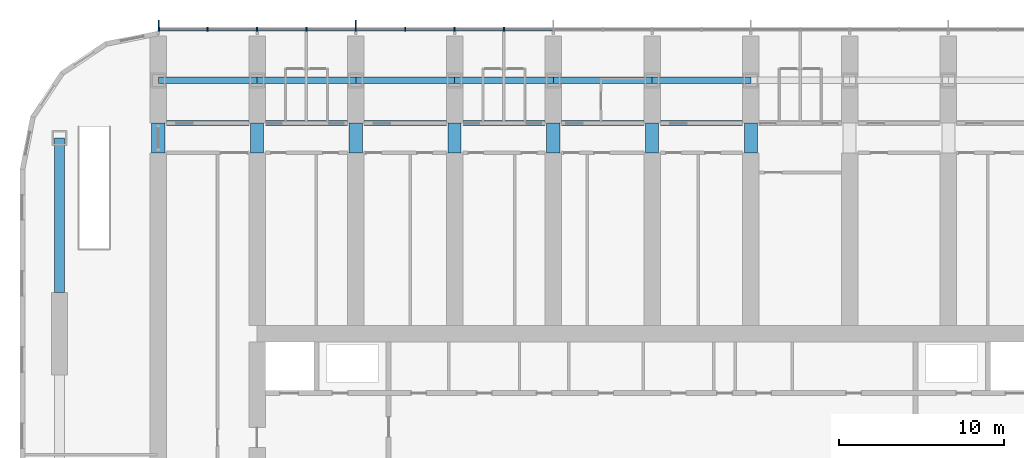
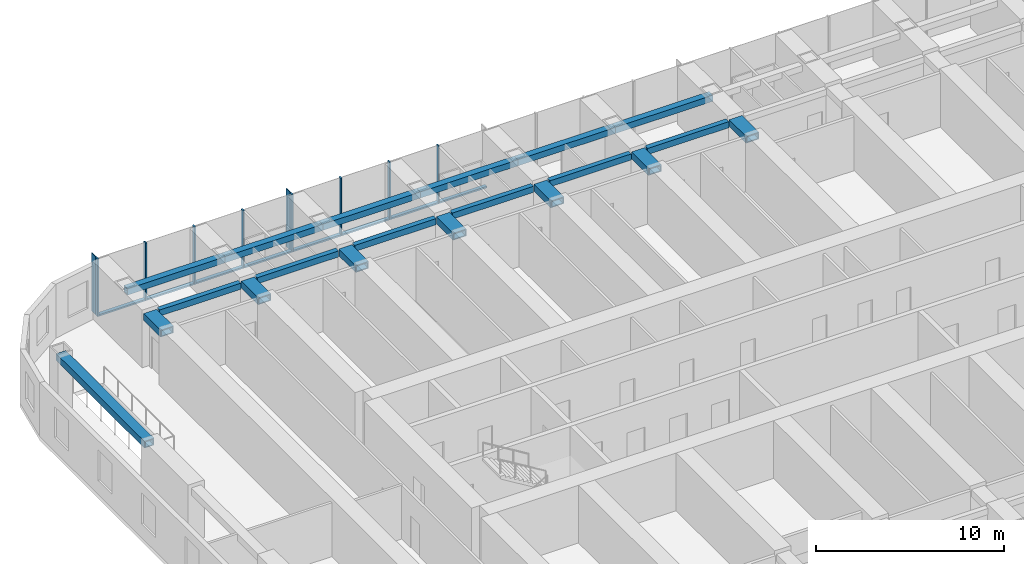
# One storey, part 4 of 22: 20 beams, 18 members, 1 element without a shape of its own.
"""IFC4 building model written with IfcOpenShell, lengths in metres."""

import ifcopenshell
import ifcopenshell.guid

model = None  # the IFC model being written
_history = None  # IfcOwnerHistory: only IFC2X3 demands one
_inside = {}  # id of a spatial element -> (the spatial element, [elements in it])
_under = {}  # id of a project, library or spatial element -> (it, [spatial elements below it])
_declared = {}  # id of a project -> (the project, [libraries it declares])
_typed = {}  # id of a type object -> (the type object, [elements of that type])
_made_of = {}  # id of a material, layer set ... -> (it, [elements and type objects made of it])


def new_model(schema):
    """Start an empty IFC model of exactly this schema.

    Asked for "IFC4X3", IfcOpenShell would pick the latest addendum, in which some entities
    have other attributes; the version numbers below select the first issue.
    IFC2X3 requires an IfcOwnerHistory on every rooted entity: one is made here for all.
    """
    global model, _history
    if schema == "IFC4X3":
        model = ifcopenshell.file(schema_version=(4, 3, 0, 0))
    else:
        model = ifcopenshell.file(schema=schema)
    _inside.clear()
    _under.clear()
    _declared.clear()
    _typed.clear()
    _made_of.clear()
    _history = None
    if model.schema == "IFC2X3":
        org = make("IfcOrganization", Name="unknown")
        user = make(
            "IfcPersonAndOrganization",
            ThePerson=make("IfcPerson", FamilyName="unknown"),
            TheOrganization=org,
        )
        app = make(
            "IfcApplication",
            ApplicationDeveloper=org,
            Version="unknown",
            ApplicationFullName="unknown",
            ApplicationIdentifier="unknown",
        )
        _history = make(
            "IfcOwnerHistory",
            OwningUser=user,
            OwningApplication=app,
            ChangeAction="ADDED",
            CreationDate=0,
        )
    return model


def make(cls, **values):
    """One entity of the class cls with the attributes given. An attribute that is None is left unset."""
    return model.create_entity(
        cls, **{name: value for name, value in values.items() if value is not None}
    )


def rooted(cls, **values):
    """An entity with a GlobalId (a new one), such as an element, a storey or a relation."""
    return make(cls, GlobalId=ifcopenshell.guid.new(), OwnerHistory=_history, **values)


def si_unit(unit_type, name, prefix=None):
    """IfcSIUnit, for example si_unit("LENGTHUNIT", "METRE", prefix="MILLI")."""
    return make("IfcSIUnit", UnitType=unit_type, Prefix=prefix, Name=name)


def assignment(units):
    """IfcUnitAssignment: the units of a project."""
    return None if units is None else make("IfcUnitAssignment", Units=units)


def point(xyz):
    """IfcCartesianPoint."""
    return None if xyz is None else make("IfcCartesianPoint", Coordinates=xyz)


def direction(xyz):
    """IfcDirection."""
    return None if xyz is None else make("IfcDirection", DirectionRatios=xyz)


def frame(location, z_axis=None, x_axis=None):
    """IfcAxis2Placement3D, a coordinate frame: its origin and axes. An axis left out is left unset."""
    return make(
        "IfcAxis2Placement3D",
        Location=point(location),
        Axis=direction(z_axis),
        RefDirection=direction(x_axis),
    )


def frame_2d(location, x_axis=None):
    """IfcAxis2Placement2D, a coordinate frame in the plane: its origin and x axis."""
    return make(
        "IfcAxis2Placement2D", Location=point(location), RefDirection=direction(x_axis)
    )


def origin():
    """The frame at (0, 0, 0) with its axes left unset."""
    return frame((0.0, 0.0, 0.0))


def origin_2d():
    """The frame at (0, 0) in the plane with its x axis left unset."""
    return frame_2d((0.0, 0.0))


def place(relative_to, where):
    """IfcLocalPlacement: puts the frame where relative to a parent placement (None: the world)."""
    return make(
        "IfcLocalPlacement", PlacementRelTo=relative_to, RelativePlacement=where
    )


def context(
    kind, dimensions, precision=None, world=None, true_north=None, identifier=None
):
    """IfcGeometricRepresentationContext, for example the 3D "Model" context."""
    return make(
        "IfcGeometricRepresentationContext",
        ContextIdentifier=identifier,
        ContextType=kind,
        CoordinateSpaceDimension=dimensions,
        Precision=precision,
        WorldCoordinateSystem=world,
        TrueNorth=true_north,
    )


def subcontext(parent, identifier, kind, view, scale=None):
    """IfcGeometricRepresentationSubContext, for example "Body" below "Model"."""
    return make(
        "IfcGeometricRepresentationSubContext",
        ContextIdentifier=identifier,
        ContextType=kind,
        ParentContext=parent,
        TargetScale=scale,
        TargetView=view,
    )


def project(units=None, contexts=None):
    """IfcProject with its units and contexts."""
    return rooted(
        "IfcProject",
        Name="project",
        RepresentationContexts=contexts,
        UnitsInContext=assignment(units),
    )


def spatial(cls, under=None, at=None, **own):
    """A site, building, storey or space (cls), placed at a placement, below another one or the project."""
    s = rooted(cls, ObjectPlacement=at, **own)
    if under is not None:
        _under.setdefault(under.id(), (under, []))[1].append(s)
    return s


def profile(cls, at=None, kind="AREA", **sizes):
    """A parametric profile (cls). Its sizes go by their IFC names, for example OverallWidth=200.0."""
    return make(cls, ProfileType=kind, Position=at, **sizes)


def rectangle(**sizes):
    """IfcRectangleProfileDef."""
    return profile("IfcRectangleProfileDef", **sizes)


def hollow_rectangle(**sizes):
    """IfcRectangleHollowProfileDef."""
    return profile("IfcRectangleHollowProfileDef", **sizes)


def extrude(swept, where, along, depth):
    """IfcExtrudedAreaSolid: the profile swept, set in the frame where, extruded along a direction by depth."""
    return make(
        "IfcExtrudedAreaSolid",
        SweptArea=swept,
        Position=where,
        ExtrudedDirection=direction(along),
        Depth=depth,
    )


def shape(context_of_items, identifier, shape_type, items):
    """IfcShapeRepresentation: the items that make up one representation, for example the "Body"."""
    return make(
        "IfcShapeRepresentation",
        ContextOfItems=context_of_items,
        RepresentationIdentifier=identifier,
        RepresentationType=shape_type,
        Items=items,
    )


def material(Name=None, Category=None):
    """IfcMaterial."""
    return make("IfcMaterial", Name=Name, Category=Category)


def material_profile(
    of_material, cross_section, Name=None, Category=None, Priority=None
):
    """IfcMaterialProfile: a cross section and its material."""
    return make(
        "IfcMaterialProfile",
        Name=Name,
        Material=of_material,
        Profile=cross_section,
        Priority=Priority,
        Category=Category,
    )


def profile_set(profiles, Name=None, composite=None):
    """IfcMaterialProfileSet."""
    return make(
        "IfcMaterialProfileSet",
        Name=Name,
        MaterialProfiles=profiles,
        CompositeProfile=composite,
    )


def made_of(thing, what):
    """Note that an element or type object is made of a material, layer set ...; save() writes the relation."""
    if what is not None:
        _made_of.setdefault(what.id(), (what, []))[1].append(thing)
    return thing


def type_object(cls, material=None, **own):
    """A type object (cls), such as IfcWallType, which elements share."""
    return made_of(rooted(cls, **own), material)


def element(
    cls,
    number,
    at=None,
    inside=None,
    cuts=None,
    type_object=None,
    material=None,
    context=None,
    identifier="Body",
    shape_type=None,
    held_by="IfcProductDefinitionShape",
    body=None,
    shapes=None,
    **own,
):
    """One element of the class cls, such as IfcWall. Its Tag is "e" and its number.

    at: its placement. inside: the storey or other place that contains it. cuts: it is an
    opening in that element (IfcRelVoidsElement). A single representation is given by context,
    identifier, shape_type and body (its items); several are given by shapes. held_by: the class
    of the entity that holds the representations. save() writes the other relations.
    """
    e = rooted(cls, Tag="e%d" % number, ObjectPlacement=at, **own)
    if body is not None:
        shapes = [shape(context, identifier, shape_type, body)]
    if shapes is not None:
        e.Representation = make(held_by, Representations=shapes)
    if inside is not None:
        _inside.setdefault(inside.id(), (inside, []))[1].append(e)
    if cuts is not None:
        rooted(
            "IfcRelVoidsElement", RelatingBuildingElement=cuts, RelatedOpeningElement=e
        )
    if type_object is not None:
        _typed.setdefault(type_object.id(), (type_object, []))[1].append(e)
    return made_of(e, material)


def aggregate(whole, parts):
    """IfcRelAggregates: a whole, such as a stair, and the parts it consists of."""
    return rooted("IfcRelAggregates", RelatingObject=whole, RelatedObjects=parts)


def save(model, path):
    """Write the relations noted so far, then the file.

    IfcRelAggregates (storeys below a building ...), IfcRelContainedInSpatialStructure (elements
    in a storey), IfcRelDefinesByType, IfcRelAssociatesMaterial and IfcRelDeclares: one each for
    every whole, place, type object, material and project.
    """
    for whole, parts in _under.values():
        aggregate(whole, parts)
    for where, things in _inside.values():
        rooted(
            "IfcRelContainedInSpatialStructure",
            RelatedElements=things,
            RelatingStructure=where,
        )
    for kind, things in _typed.values():
        rooted("IfcRelDefinesByType", RelatedObjects=things, RelatingType=kind)
    for what, things in _made_of.values():
        rooted("IfcRelAssociatesMaterial", RelatedObjects=things, RelatingMaterial=what)
    for by, libraries in _declared.values():
        rooted("IfcRelDeclares", RelatingContext=by, RelatedDefinitions=libraries)
    model.write(path)


model = new_model("IFC4")

# Units and contexts
model_context = context("Model", 3, precision=1e-05, world=origin(), true_north=direction((0.0, 1.0)))
body_context = subcontext(model_context, "Body", "Model", "MODEL_VIEW")
ifc_project = project(units=[si_unit("LENGTHUNIT", "METRE"), si_unit("AREAUNIT", "SQUARE_METRE"), si_unit("VOLUMEUNIT", "CUBIC_METRE"), si_unit("PLANEANGLEUNIT", "RADIAN"), si_unit("MASSUNIT", "GRAM", prefix="KILO")], contexts=[model_context])

# Site, building, storey
site_placement = place(None, origin())
site = spatial("IfcSite", under=ifc_project, at=site_placement, CompositionType="ELEMENT")
building_placement = place(site_placement, origin())
building = spatial("IfcBuilding", under=site, at=building_placement, Name="Orbita Commons", CompositionType="ELEMENT")
storey_placement = place(building_placement, frame((0.0, 0.0, 57.699951171875)))
storey = spatial("IfcBuildingStorey", under=building, at=storey_placement, Name="L14", CompositionType="ELEMENT", Elevation=57.699951171875)

# Curtain wall, members
ifc_material_1 = material(Name="Anodised aluminium frame, pale silver", Category="aluminium")
curtain_wall_type = type_object("IfcCurtainWallType", Name="Unitised curtain wall CW-T, vision and spandrel", PredefinedType="NOTDEFINED", material=ifc_material_1)
curtain_wall_placement = place(storey_placement, origin())
curtain_wall = element("IfcCurtainWall", 1, at=curtain_wall_placement, inside=storey, type_object=curtain_wall_type, Name="Curtain wall north L14", PredefinedType="NOTDEFINED")
ifc_material_2 = material(Name="Anodised aluminium, pale silver", Category="aluminium")
ifc_material_profile_1 = material_profile(ifc_material_2, rectangle(XDim=0.080078125, YDim=0.219970703125, at=origin_2d()), Name="AL 80x220")
ifc_profile_set_1 = profile_set([ifc_material_profile_1], Name="Anodised aluminium, pale silver")
member_type_1 = type_object("IfcMemberType", Name="Curtain wall mullion 80x220", PredefinedType="MULLION", material=ifc_profile_set_1)
member_1_placement = place(storey_placement, frame((33.0, 56.7099609375, -0.25), z_axis=(0.0, 0.0, 1.0), x_axis=(-1.0, 0.0, 0.0)))
member_1 = element("IfcMember", 2, at=member_1_placement, type_object=member_type_1, Name="Mullion 14 CW-L14-N", PredefinedType="MULLION", context=body_context, shape_type="SweptSolid", body=[
    extrude(rectangle(XDim=0.080078125, YDim=0.219970703125, at=origin_2d()), origin(), (0.0, 0.0, 1.0), 3.75),
])
member_2_placement = place(storey_placement, frame((30.0, 56.7099609375, -0.25), z_axis=(0.0, 0.0, 1.0), x_axis=(-1.0, 0.0, 0.0)))
member_2 = element("IfcMember", 3, at=member_2_placement, type_object=member_type_1, Name="Mullion 15 CW-L14-N", PredefinedType="MULLION", context=body_context, shape_type="SweptSolid", body=[
    extrude(rectangle(XDim=0.080078125, YDim=0.219970703125, at=origin_2d()), origin(), (0.0, 0.0, 1.0), 3.75),
])
member_3_placement = place(storey_placement, frame((27.0, 56.7099609375, -0.25), z_axis=(0.0, 0.0, 1.0), x_axis=(-1.0, 0.0, 0.0)))
member_3 = element("IfcMember", 4, at=member_3_placement, type_object=member_type_1, Name="Mullion 16 CW-L14-N", PredefinedType="MULLION", context=body_context, shape_type="SweptSolid", body=[
    extrude(rectangle(XDim=0.080078125, YDim=0.219970703125, at=origin_2d()), origin(), (0.0, 0.0, 1.0), 3.75),
])
member_4_placement = place(storey_placement, frame((24.0, 56.7099609375, -0.25), z_axis=(0.0, 0.0, 1.0), x_axis=(-1.0, 0.0, 0.0)))
member_4 = element("IfcMember", 5, at=member_4_placement, type_object=member_type_1, Name="Mullion 17 CW-L14-N", PredefinedType="MULLION", context=body_context, shape_type="SweptSolid", body=[
    extrude(rectangle(XDim=0.080078125, YDim=0.219970703125, at=origin_2d()), origin(), (0.0, 0.0, 1.0), 3.75),
])
member_5_placement = place(storey_placement, frame((21.0, 56.7099609375, -0.25), z_axis=(0.0, 0.0, 1.0), x_axis=(-1.0, 0.0, 0.0)))
member_5 = element("IfcMember", 6, at=member_5_placement, type_object=member_type_1, Name="Mullion 18 CW-L14-N", PredefinedType="MULLION", context=body_context, shape_type="SweptSolid", body=[
    extrude(rectangle(XDim=0.080078125, YDim=0.219970703125, at=origin_2d()), origin(), (0.0, 0.0, 1.0), 3.75),
])
member_6_placement = place(storey_placement, frame((18.0, 56.7099609375, -0.25), z_axis=(0.0, 0.0, 1.0), x_axis=(-1.0, 0.0, 0.0)))
member_6 = element("IfcMember", 7, at=member_6_placement, type_object=member_type_1, Name="Mullion 19 CW-L14-N", PredefinedType="MULLION", context=body_context, shape_type="SweptSolid", body=[
    extrude(rectangle(XDim=0.080078125, YDim=0.219970703125, at=origin_2d()), origin(), (0.0, 0.0, 1.0), 3.75),
])
member_7_placement = place(storey_placement, frame((15.0, 56.7099609375, -0.25), z_axis=(0.0, 0.0, 1.0), x_axis=(-1.0, 0.0, 0.0)))
member_7 = element("IfcMember", 8, at=member_7_placement, type_object=member_type_1, Name="Mullion 20 CW-L14-N", PredefinedType="MULLION", context=body_context, shape_type="SweptSolid", body=[
    extrude(rectangle(XDim=0.080078125, YDim=0.219970703125, at=origin_2d()), origin(), (0.0, 0.0, 1.0), 3.75),
])
member_8_placement = place(storey_placement, frame((12.0400390625, 56.7099609375, -0.25), z_axis=(0.0, 0.0, 1.0), x_axis=(-1.0, 0.0, 0.0)))
member_8 = element("IfcMember", 9, at=member_8_placement, type_object=member_type_1, Name="Mullion 21 CW-L14-N", PredefinedType="MULLION", context=body_context, shape_type="SweptSolid", body=[
    extrude(rectangle(XDim=0.080078125, YDim=0.219970703125, at=origin_2d()), origin(), (0.0, 0.0, 1.0), 3.75),
])
ifc_material_3 = material(Name="Anodised aluminium, pale silver", Category="aluminium")
ifc_material_profile_2 = material_profile(ifc_material_3, rectangle(XDim=0.219970703125, YDim=0.10009765625, at=origin_2d()), Name="AL 220x100")
ifc_profile_set_2 = profile_set([ifc_material_profile_2], Name="Anodised aluminium, pale silver")
member_type_2 = type_object("IfcMemberType", Name="Curtain wall stack transom 220x100", PredefinedType="USERDEFINED", material=ifc_profile_set_2)
member_9_placement = place(storey_placement, frame((35.9599609375, 56.7099609375, -0.199951171875), z_axis=(-1.0, 0.0, 0.0), x_axis=(0.0, -1.0, 0.0)))
member_9 = element("IfcMember", 10, at=member_9_placement, type_object=member_type_2, Name="Transom 13.1 CW-L14-N", ObjectType="TRANSOM", PredefinedType="USERDEFINED", context=body_context, shape_type="SweptSolid", body=[
    extrude(rectangle(XDim=0.219970703125, YDim=0.10009765625, at=origin_2d()), origin(), (0.0, 0.0, 1.0), 2.919921875),
])
member_10_placement = place(storey_placement, frame((32.9599609375, 56.7099609375, -0.199951171875), z_axis=(-1.0, 0.0, 0.0), x_axis=(0.0, -1.0, 0.0)))
member_10 = element("IfcMember", 11, at=member_10_placement, type_object=member_type_2, Name="Transom 14.1 CW-L14-N", ObjectType="TRANSOM", PredefinedType="USERDEFINED", context=body_context, shape_type="SweptSolid", body=[
    extrude(rectangle(XDim=0.219970703125, YDim=0.10009765625, at=origin_2d()), origin(), (0.0, 0.0, 1.0), 2.919921875),
])
member_11_placement = place(storey_placement, frame((29.9599609375, 56.7099609375, -0.199951171875), z_axis=(-1.0, 0.0, 0.0), x_axis=(0.0, -1.0, 0.0)))
member_11 = element("IfcMember", 12, at=member_11_placement, type_object=member_type_2, Name="Transom 15.1 CW-L14-N", ObjectType="TRANSOM", PredefinedType="USERDEFINED", context=body_context, shape_type="SweptSolid", body=[
    extrude(rectangle(XDim=0.219970703125, YDim=0.10009765625, at=origin_2d()), origin(), (0.0, 0.0, 1.0), 2.919921875),
])
member_12_placement = place(storey_placement, frame((26.9599609375, 56.7099609375, -0.199951171875), z_axis=(-1.0, 0.0, 0.0), x_axis=(0.0, -1.0, 0.0)))
member_12 = element("IfcMember", 13, at=member_12_placement, type_object=member_type_2, Name="Transom 16.1 CW-L14-N", ObjectType="TRANSOM", PredefinedType="USERDEFINED", context=body_context, shape_type="SweptSolid", body=[
    extrude(rectangle(XDim=0.219970703125, YDim=0.10009765625, at=origin_2d()), origin(), (0.0, 0.0, 1.0), 2.919921875),
])
member_13_placement = place(storey_placement, frame((23.9599609375, 56.7099609375, -0.199951171875), z_axis=(-1.0, 0.0, 0.0), x_axis=(0.0, -1.0, 0.0)))
member_13 = element("IfcMember", 14, at=member_13_placement, type_object=member_type_2, Name="Transom 17.1 CW-L14-N", ObjectType="TRANSOM", PredefinedType="USERDEFINED", context=body_context, shape_type="SweptSolid", body=[
    extrude(rectangle(XDim=0.219970703125, YDim=0.10009765625, at=origin_2d()), origin(), (0.0, 0.0, 1.0), 2.919921875),
])
member_14_placement = place(storey_placement, frame((20.9599609375, 56.7099609375, -0.199951171875), z_axis=(-1.0, 0.0, 0.0), x_axis=(0.0, -1.0, 0.0)))
member_14 = element("IfcMember", 15, at=member_14_placement, type_object=member_type_2, Name="Transom 18.1 CW-L14-N", ObjectType="TRANSOM", PredefinedType="USERDEFINED", context=body_context, shape_type="SweptSolid", body=[
    extrude(rectangle(XDim=0.219970703125, YDim=0.10009765625, at=origin_2d()), origin(), (0.0, 0.0, 1.0), 2.919921875),
])
member_15_placement = place(storey_placement, frame((17.9599609375, 56.7099609375, -0.199951171875), z_axis=(-1.0, 0.0, 0.0), x_axis=(0.0, -1.0, 0.0)))
member_15 = element("IfcMember", 16, at=member_15_placement, type_object=member_type_2, Name="Transom 19.1 CW-L14-N", ObjectType="TRANSOM", PredefinedType="USERDEFINED", context=body_context, shape_type="SweptSolid", body=[
    extrude(rectangle(XDim=0.219970703125, YDim=0.10009765625, at=origin_2d()), origin(), (0.0, 0.0, 1.0), 2.919921875),
])
member_16_placement = place(storey_placement, frame((14.9599609375, 56.7099609375, -0.199951171875), z_axis=(-1.0, 0.0, 0.0), x_axis=(0.0, -1.0, 0.0)))
member_16 = element("IfcMember", 17, at=member_16_placement, type_object=member_type_2, Name="Transom 20.1 CW-L14-N", ObjectType="TRANSOM", PredefinedType="USERDEFINED", context=body_context, shape_type="SweptSolid", body=[
    extrude(rectangle(XDim=0.219970703125, YDim=0.10009765625, at=origin_2d()), origin(), (0.0, 0.0, 1.0), 2.8798828125),
])

# Beams
ifc_material_4 = material(Name="Steel ASTM A572 Gr 50 welded plate", Category="steel")
ifc_material_profile_3 = material_profile(ifc_material_4, hollow_rectangle(XDim=0.300048828125, YDim=0.39990234375, WallThickness=0.0400390625, at=origin_2d()), Name="BOX 400x300x40")
ifc_profile_set_3 = profile_set([ifc_material_profile_3], Name="Steel ASTM A572 Gr 50 welded plate")
beam_type_1 = type_object("IfcBeamType", Name="Steel corridor link BOX 400x300x40", PredefinedType="BEAM", material=ifc_profile_set_3)
for number, where, z_axis, x_axis, name in (
    (18, (12.5, 51.0, 3.300048828125), (1.0, 0.0, 0.0), (0.0, 1.0, 0.0), "Corridor beam NB 3-4 L14"),
    (19, (18.5, 51.0, 3.300048828125), (1.0, 0.0, 0.0), (0.0, 1.0, 0.0), "Corridor beam NB 4-5 L14"),
    (20, (24.5, 51.0, 3.300048828125), (1.0, 0.0, 0.0), (0.0, 1.0, 0.0), "Corridor beam NB 5-6 L14"),
    (21, (30.5, 51.0, 3.300048828125), (1.0, 0.0, 0.0), (0.0, 1.0, 0.0), "Corridor beam NB 6-7 L14"),
    (22, (36.5, 51.0, 3.300048828125), (1.0, 0.0, 0.0), (0.0, 1.0, 0.0), "Corridor beam NB 7-8 L14"),
    (23, (42.5, 51.0, 3.300048828125), (1.0, 0.0, 0.0), (0.0, 1.0, 0.0), "Corridor beam NB 8-9 L14"),
):
    element("IfcBeam", number, at=place(storey_placement, frame(where, z_axis=z_axis, x_axis=x_axis)), inside=storey, type_object=beam_type_1, Name=name, PredefinedType="BEAM", context=body_context, shape_type="SweptSolid", body=[
        extrude(hollow_rectangle(XDim=0.300048828125, YDim=0.39990234375, WallThickness=0.0400390625, at=origin_2d()), origin(), (0.0, 0.0, 1.0), 5.0),
    ])
ifc_material_5 = material(Name="Steel ASTM A572 Gr 50 welded plate", Category="steel")
ifc_material_profile_4 = material_profile(ifc_material_5, hollow_rectangle(XDim=0.800048828125, YDim=0.449951171875, WallThickness=0.06005859375, at=origin_2d()), Name="BOX 450x800x60")
ifc_profile_set_4 = profile_set([ifc_material_profile_4], Name="Steel ASTM A572 Gr 50 welded plate")
beam_type_2 = type_object("IfcBeamType", Name="Steel coupling link BOX 450x800x60", PredefinedType="LINTEL", material=ifc_profile_set_4)
for number, where, z_axis, x_axis, name in (
    (24, (12.0, 49.199951171875, 3.275146484375), (0.0, 1.0, 0.0), (-1.0, 0.0, 0.0), "Coupling beam 3 north L14"),
    (25, (18.0, 49.199951171875, 3.275146484375), (0.0, 1.0, 0.0), (-1.0, 0.0, 0.0), "Coupling beam 4 north L14"),
    (26, (24.0, 49.199951171875, 3.275146484375), (0.0, 1.0, 0.0), (-1.0, 0.0, 0.0), "Coupling beam 5 north L14"),
    (27, (30.0, 49.199951171875, 3.275146484375), (0.0, 1.0, 0.0), (-1.0, 0.0, 0.0), "Coupling beam 6 north L14"),
    (28, (36.0, 49.199951171875, 3.275146484375), (0.0, 1.0, 0.0), (-1.0, 0.0, 0.0), "Coupling beam 7 north L14"),
    (29, (42.0, 49.199951171875, 3.275146484375), (0.0, 1.0, 0.0), (-1.0, 0.0, 0.0), "Coupling beam 8 north L14"),
    (30, (48.0, 49.199951171875, 3.275146484375), (0.0, 1.0, 0.0), (-1.0, 0.0, 0.0), "Coupling beam 9 north L14"),
):
    element("IfcBeam", number, at=place(storey_placement, frame(where, z_axis=z_axis, x_axis=x_axis)), inside=storey, type_object=beam_type_2, Name=name, PredefinedType="LINTEL", context=body_context, shape_type="SweptSolid", body=[
        extrude(hollow_rectangle(XDim=0.800048828125, YDim=0.449951171875, WallThickness=0.06005859375, at=origin_2d()), origin(), (0.0, 0.0, 1.0), 1.800048828125),
    ])
ifc_material_6 = material(Name="Steel ASTM A572 Gr 50 welded plate", Category="steel")
ifc_material_profile_5 = material_profile(ifc_material_6, hollow_rectangle(XDim=0.60009765625, YDim=0.449951171875, WallThickness=0.06005859375, at=origin_2d()), Name="BOX 450x600x60")
ifc_profile_set_5 = profile_set([ifc_material_profile_5], Name="Steel ASTM A572 Gr 50 welded plate")
beam_type_3 = type_object("IfcBeamType", Name="Steel end frame link BOX 450x600x60", PredefinedType="BEAM", material=ifc_profile_set_5)
beam_placement = place(storey_placement, frame((6.0, 40.699951171875, 3.275146484375), z_axis=(0.0, 1.0, 0.0), x_axis=(-1.0, 0.0, 0.0)))
element("IfcBeam", 31, at=beam_placement, inside=storey, type_object=beam_type_3, Name="End frame beam 2 D-E L14", PredefinedType="BEAM", context=body_context, shape_type="SweptSolid", body=[
    extrude(hollow_rectangle(XDim=0.60009765625, YDim=0.449951171875, WallThickness=0.06005859375, at=origin_2d()), origin(), (0.0, 0.0, 1.0), 9.400146484375),
])
ifc_material_7 = material(Name="Steel ASTM A572 Gr 50 welded plate", Category="steel")
ifc_material_profile_6 = material_profile(ifc_material_7, hollow_rectangle(XDim=0.39990234375, YDim=0.39990234375, WallThickness=0.0400390625, at=origin_2d()), Name="BOX 400x400x40")
ifc_profile_set_6 = profile_set([ifc_material_profile_6], Name="Steel ASTM A572 Gr 50 welded plate")
beam_type_4 = type_object("IfcBeamType", Name="Steel spandrel BOX 400x400x40", PredefinedType="SPANDREL", material=ifc_profile_set_6)
for number, where, z_axis, x_axis, name in (
    (32, (12.0, 53.60009765625, 3.300048828125), (1.0, 0.0, 0.0), (0.0, 1.0, 0.0), "Spandrel beam E 3-4 L14"),
    (33, (18.0, 53.60009765625, 3.300048828125), (1.0, 0.0, 0.0), (0.0, 1.0, 0.0), "Spandrel beam E 4-5 L14"),
    (34, (24.0, 53.60009765625, 3.300048828125), (1.0, 0.0, 0.0), (0.0, 1.0, 0.0), "Spandrel beam E 5-6 L14"),
    (35, (30.0, 53.60009765625, 3.300048828125), (1.0, 0.0, 0.0), (0.0, 1.0, 0.0), "Spandrel beam E 6-7 L14"),
    (36, (36.0, 53.60009765625, 3.300048828125), (1.0, 0.0, 0.0), (0.0, 1.0, 0.0), "Spandrel beam E 7-8 L14"),
    (37, (42.0, 53.60009765625, 3.300048828125), (1.0, 0.0, 0.0), (0.0, 1.0, 0.0), "Spandrel beam E 8-9 L14"),
):
    element("IfcBeam", number, at=place(storey_placement, frame(where, z_axis=z_axis, x_axis=x_axis)), inside=storey, type_object=beam_type_4, Name=name, PredefinedType="SPANDREL", context=body_context, shape_type="SweptSolid", body=[
        extrude(hollow_rectangle(XDim=0.39990234375, YDim=0.39990234375, WallThickness=0.0400390625, at=origin_2d()), origin(), (0.0, 0.0, 1.0), 6.0),
    ])

# Member
ifc_material_8 = material(Name="Anodised aluminium, pale silver", Category="aluminium")
ifc_material_profile_7 = material_profile(ifc_material_8, rectangle(XDim=0.06005859375, YDim=0.449951171875, at=origin_2d()), Name="FIN 60x450")
ifc_profile_set_7 = profile_set([ifc_material_profile_7], Name="Anodised aluminium, pale silver")
member_type_3 = type_object("IfcMemberType", Name="Vertical fin 60x450 pale aluminium", PredefinedType="USERDEFINED", material=ifc_profile_set_7)
member_17_placement = place(storey_placement, frame((24.0, 57.044921875, -0.25), z_axis=(0.0, 0.0, 1.0), x_axis=(-1.0, 0.0, 0.0)))
member_17 = element("IfcMember", 38, at=member_17_placement, type_object=member_type_3, Name="Fin 17 CW-L14-N", ObjectType="FIN", PredefinedType="USERDEFINED", context=body_context, shape_type="SweptSolid", body=[
    extrude(rectangle(XDim=0.06005859375, YDim=0.449951171875, at=origin_2d()), origin(), (0.0, 0.0, 1.0), 3.75),
])

member_18_placement = place(storey_placement, frame((12.0400390625, 57.044921875, -0.25), z_axis=(0.0, 0.0, 1.0), x_axis=(-1.0, 0.0, 0.0)))
member_18 = element("IfcMember", 39, at=member_18_placement, type_object=member_type_3, Name="Fin 21 CW-L14-N", ObjectType="FIN", PredefinedType="USERDEFINED", context=body_context, shape_type="SweptSolid", body=[
    extrude(rectangle(XDim=0.06005859375, YDim=0.449951171875, at=origin_2d()), origin(), (0.0, 0.0, 1.0), 3.75),
])

aggregate(curtain_wall, [member_1, member_2, member_3, member_4, member_17, member_5, member_6, member_7, member_8, member_18, member_9, member_10, member_11, member_12, member_13, member_14, member_15, member_16])

save(model, "model.ifc")
